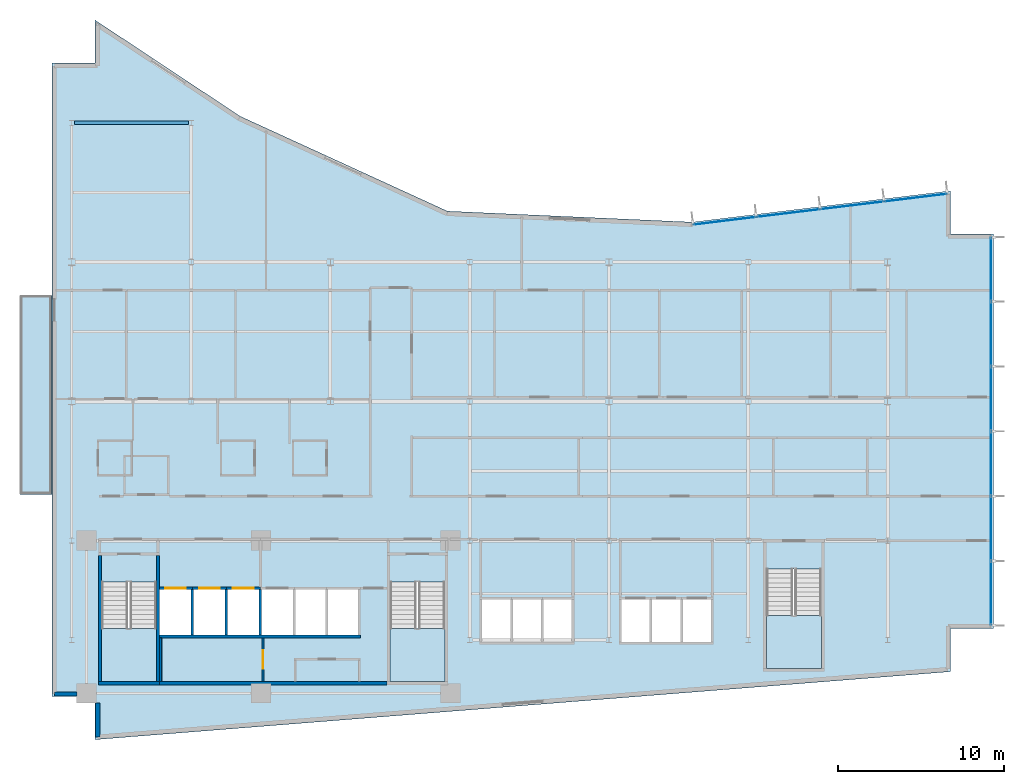
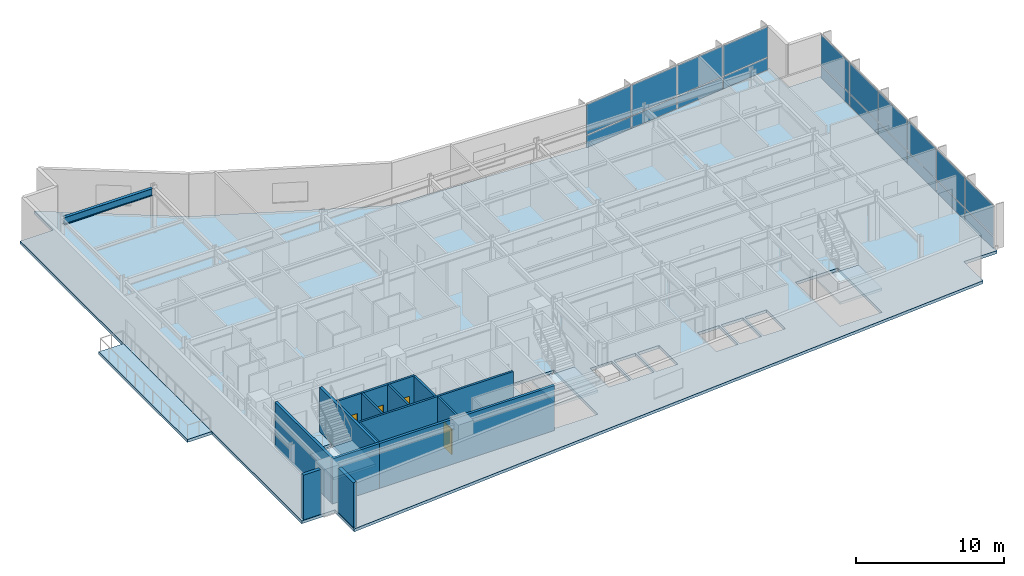
# One storey, part 9 of 18: 20 plates, 15 walls, 5 slabs, 4 doors, 1 beam, 4 openings, 5 elements without a shape of their own.
"""IFC4 building model written with IfcOpenShell, lengths in metres."""

from ifc_helpers import new_model, si_unit, direction, frame, frame_2d, origin, origin_2d, place, context, subcontext, project, spatial, polyline, rectangle, i_section, outline, extrude, material, layer, layer_set, material_profile, profile_set, type_object, element, fill, aggregate, save


model = new_model("IFC4")

# Units and contexts
model_context = context("Model", 3, precision=1e-05, world=origin(), true_north=direction((0.0, 1.0)))
body_context = subcontext(model_context, "Body", "Model", "MODEL_VIEW")
ifc_project = project(units=[si_unit("LENGTHUNIT", "METRE"), si_unit("AREAUNIT", "SQUARE_METRE"), si_unit("VOLUMEUNIT", "CUBIC_METRE"), si_unit("PLANEANGLEUNIT", "RADIAN"), si_unit("MASSUNIT", "GRAM", prefix="KILO")], contexts=[model_context])

# Site, building, storey
site_placement = place(None, origin())
site = spatial("IfcSite", under=ifc_project, at=site_placement, CompositionType="ELEMENT")
building_placement = place(site_placement, origin())
building = spatial("IfcBuilding", under=site, at=building_placement, Name="Varnakote Quay Hospital", CompositionType="ELEMENT")
storey_placement = place(building_placement, frame((0.0, 0.0, 107.300048828125)))
storey = spatial("IfcBuildingStorey", under=building, at=storey_placement, Name="L26", CompositionType="ELEMENT", Elevation=107.300048828125)

# Beam
ifc_material_1 = material(Name="Structural steel AS/NZS 3679.1 Grade 350 L0 (fy 340 MPa)", Category="steel")
ifc_material_profile = material_profile(ifc_material_1, i_section(OverallWidth=0.22802734375, OverallDepth=0.60205078125, WebThickness=0.010498046875, FlangeThickness=0.014892578125, FilletRadius=0.013916015625, at=origin_2d()), Name="610UB101")
ifc_profile_set = profile_set([ifc_material_profile], Name="Structural steel AS/NZS 3679.1 Grade 350 L0 (fy 340 MPa)")
beam_type = type_object("IfcBeamType", Name="BM-STL-610UB101", PredefinedType="BEAM", material=ifc_profile_set)
beam_placement = place(storey_placement, frame((1.3544921875, 37.199951171875, 3.408935546875), z_axis=(1.0, 0.0, 0.0), x_axis=(0.0, 1.0, 0.0)))
element("IfcBeam", 1, at=beam_placement, inside=storey, type_object=beam_type, Name="L26 Primary Floor Beam", PredefinedType="BEAM", context=body_context, shape_type="SweptSolid", body=[
    extrude(i_section(OverallWidth=0.22802734375, OverallDepth=0.60205078125, WebThickness=0.010498046875, FlangeThickness=0.014892578125, FilletRadius=0.013916015625, at=origin_2d()), origin(), (0.0, 0.0, 1.0), 6.89111328125),
])

# Curtain wall, plates
ifc_material_2 = material(Name="Anodised aluminium 6063-T6 Bronze", Category="aluminium")
ifc_layer_1 = layer(ifc_material_2, 0.205078125)
ifc_layer_set_1 = layer_set([ifc_layer_1], Name="Anodised aluminium 6063-T6 Bronze")
curtain_wall_type = type_object("IfcCurtainWallType", Name="CW-SYS-3", PredefinedType="NOTDEFINED", material=ifc_layer_set_1)
curtain_wall_1_placement = place(storey_placement, origin())
curtain_wall_1 = element("IfcCurtainWall", 2, at=curtain_wall_1_placement, inside=storey, type_object=curtain_wall_type, Name="L26 Unitised Bronze Curtain Wall 1", PredefinedType="NOTDEFINED")
ifc_material_3 = material(Name="Double-glazed low-E solar glass", Category="glass")
ifc_layer_2 = layer(ifc_material_3, 0.028076171875)
ifc_layer_set_2 = layer_set([ifc_layer_2], Name="Double-glazed low-E solar glass")
plate_type = type_object("IfcPlateType", Name="CW-PNL-GLZ-28", PredefinedType="CURTAIN_PANEL", material=ifc_layer_set_2)
plate_1_placement = place(storey_placement, frame((56.639892578125, 8.83544921875, 0.07470703125), z_axis=(0.0, 0.0, 1.0), x_axis=(0.0, 1.0, 0.0)))
plate_1 = element("IfcPlate", 3, at=plate_1_placement, type_object=plate_type, Name="-3-L26-1 panel 1.1", PredefinedType="CURTAIN_PANEL", context=body_context, shape_type="SweptSolid", body=[
    extrude(rectangle(XDim=3.80078125, YDim=0.028076171875, at=origin_2d()), origin(), (0.0, 0.0, 1.0), 0.987548828125),
])
plate_2_placement = place(storey_placement, frame((56.639892578125, 8.83544921875, 1.137451171875), z_axis=(0.0, 0.0, 1.0), x_axis=(0.0, 1.0, 0.0)))
plate_2 = element("IfcPlate", 4, at=plate_2_placement, type_object=plate_type, Name="-3-L26-1 panel 1.2", PredefinedType="CURTAIN_PANEL", context=body_context, shape_type="SweptSolid", body=[
    extrude(rectangle(XDim=3.80078125, YDim=0.028076171875, at=origin_2d()), origin(), (0.0, 0.0, 1.0), 2.49755859375),
])
plate_3_placement = place(storey_placement, frame((56.639892578125, 12.72998046875, 0.07470703125), z_axis=(0.0, 0.0, 1.0), x_axis=(0.0, 1.0, 0.0)))
plate_3 = element("IfcPlate", 5, at=plate_3_placement, type_object=plate_type, Name="-3-L26-1 panel 2.1", PredefinedType="CURTAIN_PANEL", context=body_context, shape_type="SweptSolid", body=[
    extrude(rectangle(XDim=3.83837890625, YDim=0.028076171875, at=origin_2d()), origin(), (0.0, 0.0, 1.0), 0.987548828125),
])
plate_4_placement = place(storey_placement, frame((56.639892578125, 12.72998046875, 1.137451171875), z_axis=(0.0, 0.0, 1.0), x_axis=(0.0, 1.0, 0.0)))
plate_4 = element("IfcPlate", 6, at=plate_4_placement, type_object=plate_type, Name="-3-L26-1 panel 2.2", PredefinedType="CURTAIN_PANEL", context=body_context, shape_type="SweptSolid", body=[
    extrude(rectangle(XDim=3.83837890625, YDim=0.028076171875, at=origin_2d()), origin(), (0.0, 0.0, 1.0), 2.49755859375),
])
plate_5_placement = place(storey_placement, frame((56.639892578125, 16.643310546875, 0.07470703125), z_axis=(0.0, 0.0, 1.0), x_axis=(0.0, 1.0, 0.0)))
plate_5 = element("IfcPlate", 7, at=plate_5_placement, type_object=plate_type, Name="-3-L26-1 panel 3.1", PredefinedType="CURTAIN_PANEL", context=body_context, shape_type="SweptSolid", body=[
    extrude(rectangle(XDim=3.83837890625, YDim=0.028076171875, at=origin_2d()), origin(), (0.0, 0.0, 1.0), 0.987548828125),
])
plate_6_placement = place(storey_placement, frame((56.639892578125, 16.643310546875, 1.137451171875), z_axis=(0.0, 0.0, 1.0), x_axis=(0.0, 1.0, 0.0)))
plate_6 = element("IfcPlate", 8, at=plate_6_placement, type_object=plate_type, Name="-3-L26-1 panel 3.2", PredefinedType="CURTAIN_PANEL", context=body_context, shape_type="SweptSolid", body=[
    extrude(rectangle(XDim=3.83837890625, YDim=0.028076171875, at=origin_2d()), origin(), (0.0, 0.0, 1.0), 2.49755859375),
])
plate_7_placement = place(storey_placement, frame((56.639892578125, 20.556640625, 0.07470703125), z_axis=(0.0, 0.0, 1.0), x_axis=(0.0, 1.0, 0.0)))
plate_7 = element("IfcPlate", 9, at=plate_7_placement, type_object=plate_type, Name="-3-L26-1 panel 4.1", PredefinedType="CURTAIN_PANEL", context=body_context, shape_type="SweptSolid", body=[
    extrude(rectangle(XDim=3.83837890625, YDim=0.028076171875, at=origin_2d()), origin(), (0.0, 0.0, 1.0), 0.987548828125),
])
plate_8_placement = place(storey_placement, frame((56.639892578125, 20.556640625, 1.137451171875), z_axis=(0.0, 0.0, 1.0), x_axis=(0.0, 1.0, 0.0)))
plate_8 = element("IfcPlate", 10, at=plate_8_placement, type_object=plate_type, Name="-3-L26-1 panel 4.2", PredefinedType="CURTAIN_PANEL", context=body_context, shape_type="SweptSolid", body=[
    extrude(rectangle(XDim=3.83837890625, YDim=0.028076171875, at=origin_2d()), origin(), (0.0, 0.0, 1.0), 2.49755859375),
])
plate_9_placement = place(storey_placement, frame((56.639892578125, 24.469970703125, 0.07470703125), z_axis=(0.0, 0.0, 1.0), x_axis=(0.0, 1.0, 0.0)))
plate_9 = element("IfcPlate", 11, at=plate_9_placement, type_object=plate_type, Name="-3-L26-1 panel 5.1", PredefinedType="CURTAIN_PANEL", context=body_context, shape_type="SweptSolid", body=[
    extrude(rectangle(XDim=3.83837890625, YDim=0.028076171875, at=origin_2d()), origin(), (0.0, 0.0, 1.0), 0.987548828125),
])
plate_10_placement = place(storey_placement, frame((56.639892578125, 24.469970703125, 1.137451171875), z_axis=(0.0, 0.0, 1.0), x_axis=(0.0, 1.0, 0.0)))
plate_10 = element("IfcPlate", 12, at=plate_10_placement, type_object=plate_type, Name="-3-L26-1 panel 5.2", PredefinedType="CURTAIN_PANEL", context=body_context, shape_type="SweptSolid", body=[
    extrude(rectangle(XDim=3.83837890625, YDim=0.028076171875, at=origin_2d()), origin(), (0.0, 0.0, 1.0), 2.49755859375),
])
plate_11_placement = place(storey_placement, frame((56.639892578125, 28.364501953125, 0.07470703125), z_axis=(0.0, 0.0, 1.0), x_axis=(0.0, 1.0, 0.0)))
plate_11 = element("IfcPlate", 13, at=plate_11_placement, type_object=plate_type, Name="-3-L26-1 panel 6.1", PredefinedType="CURTAIN_PANEL", context=body_context, shape_type="SweptSolid", body=[
    extrude(rectangle(XDim=3.80078125, YDim=0.028076171875, at=origin_2d()), origin(), (0.0, 0.0, 1.0), 0.987548828125),
])
plate_12_placement = place(storey_placement, frame((56.639892578125, 28.364501953125, 1.137451171875), z_axis=(0.0, 0.0, 1.0), x_axis=(0.0, 1.0, 0.0)))
plate_12 = element("IfcPlate", 14, at=plate_12_placement, type_object=plate_type, Name="-3-L26-1 panel 6.2", PredefinedType="CURTAIN_PANEL", context=body_context, shape_type="SweptSolid", body=[
    extrude(rectangle(XDim=3.80078125, YDim=0.028076171875, at=origin_2d()), origin(), (0.0, 0.0, 1.0), 2.49755859375),
])
aggregate(curtain_wall_1, [plate_1, plate_2, plate_3, plate_4, plate_5, plate_6, plate_7, plate_8, plate_9, plate_10, plate_11, plate_12])

curtain_wall_2_placement = place(storey_placement, origin())
curtain_wall_2 = element("IfcCurtainWall", 15, at=curtain_wall_2_placement, inside=storey, type_object=curtain_wall_type, Name="L26 Unitised Bronze Curtain Wall 2", PredefinedType="NOTDEFINED")
plate_13_placement = place(storey_placement, frame((52.09521484375, 32.68359375, 0.07470703125), z_axis=(0.0, 0.0, 1.0), x_axis=(-0.992734295067, -0.12032713492, 0.0)))
plate_13 = element("IfcPlate", 16, at=plate_13_placement, type_object=plate_type, Name="-3-L26-2 panel 1.1", PredefinedType="CURTAIN_PANEL", context=body_context, shape_type="SweptSolid", body=[
    extrude(rectangle(XDim=3.76806640625, YDim=0.028076171875, at=origin_2d()), origin(), (0.0, 0.0, 1.0), 0.987548828125),
])
plate_14_placement = place(storey_placement, frame((52.09521484375, 32.68359375, 1.137451171875), z_axis=(0.0, 0.0, 1.0), x_axis=(-0.992734295067, -0.12032713492, 0.0)))
plate_14 = element("IfcPlate", 17, at=plate_14_placement, type_object=plate_type, Name="-3-L26-2 panel 1.2", PredefinedType="CURTAIN_PANEL", context=body_context, shape_type="SweptSolid", body=[
    extrude(rectangle(XDim=3.76806640625, YDim=0.028076171875, at=origin_2d()), origin(), (0.0, 0.0, 1.0), 2.49755859375),
])
plate_15_placement = place(storey_placement, frame((48.26123046875, 32.218994140625, 0.07470703125), z_axis=(0.0, 0.0, 1.0), x_axis=(-0.992734295067, -0.12032713492, 0.0)))
plate_15 = element("IfcPlate", 18, at=plate_15_placement, type_object=plate_type, Name="-3-L26-2 panel 2.1", PredefinedType="CURTAIN_PANEL", context=body_context, shape_type="SweptSolid", body=[
    extrude(rectangle(XDim=3.8056640625, YDim=0.028076171875, at=origin_2d()), origin(), (0.0, 0.0, 1.0), 0.987548828125),
])
plate_16_placement = place(storey_placement, frame((48.26123046875, 32.218994140625, 1.137451171875), z_axis=(0.0, 0.0, 1.0), x_axis=(-0.992734295067, -0.12032713492, 0.0)))
plate_16 = element("IfcPlate", 19, at=plate_16_placement, type_object=plate_type, Name="-3-L26-2 panel 2.2", PredefinedType="CURTAIN_PANEL", context=body_context, shape_type="SweptSolid", body=[
    extrude(rectangle(XDim=3.8056640625, YDim=0.028076171875, at=origin_2d()), origin(), (0.0, 0.0, 1.0), 2.49755859375),
])
plate_17_placement = place(storey_placement, frame((44.40869140625, 31.751953125, 0.07470703125), z_axis=(0.0, 0.0, 1.0), x_axis=(-0.992734295067, -0.12032713492, 0.0)))
plate_17 = element("IfcPlate", 20, at=plate_17_placement, type_object=plate_type, Name="-3-L26-2 panel 3.1", PredefinedType="CURTAIN_PANEL", context=body_context, shape_type="SweptSolid", body=[
    extrude(rectangle(XDim=3.8056640625, YDim=0.028076171875, at=origin_2d()), origin(), (0.0, 0.0, 1.0), 0.987548828125),
])
plate_18_placement = place(storey_placement, frame((44.40869140625, 31.751953125, 1.137451171875), z_axis=(0.0, 0.0, 1.0), x_axis=(-0.992734295067, -0.12032713492, 0.0)))
plate_18 = element("IfcPlate", 21, at=plate_18_placement, type_object=plate_type, Name="-3-L26-2 panel 3.2", PredefinedType="CURTAIN_PANEL", context=body_context, shape_type="SweptSolid", body=[
    extrude(rectangle(XDim=3.8056640625, YDim=0.028076171875, at=origin_2d()), origin(), (0.0, 0.0, 1.0), 2.49755859375),
])
plate_19_placement = place(storey_placement, frame((40.574951171875, 31.287353515625, 0.07470703125), z_axis=(0.0, 0.0, 1.0), x_axis=(-0.992734295067, -0.12032713492, 0.0)))
plate_19 = element("IfcPlate", 22, at=plate_19_placement, type_object=plate_type, Name="-3-L26-2 panel 4.1", PredefinedType="CURTAIN_PANEL", context=body_context, shape_type="SweptSolid", body=[
    extrude(rectangle(XDim=3.76806640625, YDim=0.028076171875, at=origin_2d()), origin(), (0.0, 0.0, 1.0), 0.987548828125),
])
plate_20_placement = place(storey_placement, frame((40.574951171875, 31.287353515625, 1.137451171875), z_axis=(0.0, 0.0, 1.0), x_axis=(-0.992734295067, -0.12032713492, 0.0)))
plate_20 = element("IfcPlate", 23, at=plate_20_placement, type_object=plate_type, Name="-3-L26-2 panel 4.2", PredefinedType="CURTAIN_PANEL", context=body_context, shape_type="SweptSolid", body=[
    extrude(rectangle(XDim=3.76806640625, YDim=0.028076171875, at=origin_2d()), origin(), (0.0, 0.0, 1.0), 2.49755859375),
])
aggregate(curtain_wall_2, [plate_13, plate_14, plate_15, plate_16, plate_17, plate_18, plate_19, plate_20])

# Stair, slab
ifc_material_4 = material(Name="Concrete N40 (f'c 40 MPa)", Category="concrete")
stair_type = type_object("IfcStairType", Name="STR-CORE-1580", PredefinedType="HALF_TURN_STAIR", material=ifc_material_4)
stair_1_placement = place(storey_placement, origin())
stair_1 = element("IfcStair", 24, at=stair_1_placement, inside=storey, type_object=stair_type, Name="L26 Fire-Isolated Exit Stair ST-01", PredefinedType="HALF_TURN_STAIR")
ifc_material_5 = material(Name="Concrete N40 (f'c 40 MPa)", Category="concrete")
ifc_layer_3 = layer(ifc_material_5, 0.199951171875)
ifc_layer_set_3 = layer_set([ifc_layer_3], Name="Concrete N40 (f'c 40 MPa)")
slab_type_1 = type_object("IfcSlabType", Name="SLB-STAIR-LND-200", PredefinedType="LANDING", material=ifc_layer_set_3)
slab_1_placement = place(storey_placement, frame((0.0, 0.0, 1.77490234375)))
slab_1 = element("IfcSlab", 25, at=slab_1_placement, type_object=slab_type_1, Name="ST-01 landing 1", PredefinedType="LANDING", context=body_context, shape_type="SweptSolid", body=[
    extrude(outline(polyline([(3.0, 6.699951171875), (3.0, 3.5), (6.300048828125, 3.5), (6.300048828125, 6.699951171875), (3.0, 6.699951171875)])), origin(), (0.0, 0.0, 1.0), 0.199951171875),
])
aggregate(stair_1, [slab_1])

stair_2_placement = place(storey_placement, origin())
stair_2 = element("IfcStair", 26, at=stair_2_placement, inside=storey, type_object=stair_type, Name="L26 Fire-Isolated Exit Stair ST-02", PredefinedType="HALF_TURN_STAIR")
slab_2_placement = place(storey_placement, frame((0.0, 0.0, 1.77490234375)))
slab_2 = element("IfcSlab", 27, at=slab_2_placement, type_object=slab_type_1, Name="ST-02 landing 1", PredefinedType="LANDING", context=body_context, shape_type="SweptSolid", body=[
    extrude(outline(polyline([(20.39990234375, 6.699951171875), (20.39990234375, 3.5), (23.699951171875, 3.5), (23.699951171875, 6.699951171875), (20.39990234375, 6.699951171875)])), origin(), (0.0, 0.0, 1.0), 0.199951171875),
])
aggregate(stair_2, [slab_2])

stair_3_placement = place(storey_placement, origin())
stair_3 = element("IfcStair", 28, at=stair_3_placement, inside=storey, type_object=stair_type, Name="L26 Fire-Isolated Exit Stair ST-03", PredefinedType="HALF_TURN_STAIR")
slab_3_placement = place(storey_placement, frame((0.0, 0.0, 1.77490234375)))
slab_3 = element("IfcSlab", 29, at=slab_3_placement, type_object=slab_type_1, Name="ST-03 landing 1", PredefinedType="LANDING", context=body_context, shape_type="SweptSolid", body=[
    extrude(outline(polyline([(43.10009765625, 7.5), (43.10009765625, 4.300048828125), (46.39990234375, 4.300048828125), (46.39990234375, 7.5), (43.10009765625, 7.5)])), origin(), (0.0, 0.0, 1.0), 0.199951171875),
])
aggregate(stair_3, [slab_3])

# Slabs
ifc_material_6 = material(Name="Concrete N50 (f'c 50 MPa)", Category="concrete")
ifc_layer_4 = layer(ifc_material_6, 0.239990234375)
ifc_layer_set_4 = layer_set([ifc_layer_4], Name="Concrete N50 (f'c 50 MPa)")
slab_type_2 = type_object("IfcSlabType", Name="SLB-TERR-200", PredefinedType="FLOOR", material=ifc_layer_set_4)
slab_4_placement = place(storey_placement, frame((0.0, 0.0, -0.239990234375)))
element("IfcSlab", 30, at=slab_4_placement, inside=storey, type_object=slab_type_2, Name="L26 Waterfront Healing Terrace Slab", PredefinedType="FLOOR", context=body_context, shape_type="SweptSolid", body=[
    extrude(outline(polyline([(0.00390625, 14.800048828125), (0.00390625, 26.800048828125), (-1.919921875, 26.800048828125), (-1.919921875, 14.800048828125), (0.00390625, 14.800048828125)])), origin(), (0.0, 0.0, 1.0), 0.239990234375),
])
ifc_material_7 = material(Name="Concrete N50 (f'c 50 MPa)", Category="concrete")
ifc_layer_5 = layer(ifc_material_7, 0.239990234375)
ifc_layer_set_5 = layer_set([ifc_layer_5], Name="Concrete N50 (f'c 50 MPa)")
slab_type_3 = type_object("IfcSlabType", Name="SLB-WARD-200", PredefinedType="FLOOR", material=ifc_layer_set_5)
slab_5_placement = place(storey_placement, frame((0.0, 0.0, -0.239990234375)))
element("IfcSlab", 31, at=slab_5_placement, inside=storey, type_object=slab_type_3, Name="L26 Primary Floor Slab", PredefinedType="FLOOR", context=body_context, shape_type="SweptSolid", body=[
    extrude(outline(polyline([(0.0, 2.60009765625), (2.60009765625, 2.60009765625), (2.60009765625, 0.0), (54.199951171875, 4.10009765625), (54.199951171875, 6.699951171875), (56.800048828125, 6.699951171875), (56.800048828125, 30.5), (54.199951171875, 30.5), (54.199951171875, 33.10009765625), (38.6240234375, 31.2119140625), (23.85595703125, 31.8740234375), (11.360107421875, 37.595947265625), (2.60009765625, 43.39990234375), (2.60009765625, 40.800048828125), (0.0, 40.800048828125), (0.0, 2.60009765625)]), holes=[polyline([(3.0, 3.5), (6.300048828125, 3.5), (6.300048828125, 9.49951171875), (3.0, 9.49951171875), (3.0, 3.5)]), polyline([(20.39990234375, 3.5), (23.699951171875, 3.5), (23.699951171875, 9.49951171875), (20.39990234375, 9.49951171875), (20.39990234375, 3.5)]), polyline([(43.10009765625, 4.300048828125), (46.39990234375, 4.300048828125), (46.39990234375, 10.29931640625), (43.10009765625, 10.29931640625), (43.10009765625, 4.300048828125)]), polyline([(6.5, 6.300048828125), (8.39990234375, 6.300048828125), (8.39990234375, 9.050048828125), (6.5, 9.050048828125), (6.5, 6.300048828125)]), polyline([(8.550048828125, 6.300048828125), (10.449951171875, 6.300048828125), (10.449951171875, 9.050048828125), (8.550048828125, 9.050048828125), (8.550048828125, 6.300048828125)]), polyline([(10.60009765625, 6.300048828125), (12.5, 6.300048828125), (12.5, 9.050048828125), (10.60009765625, 9.050048828125), (10.60009765625, 6.300048828125)]), polyline([(12.64990234375, 6.300048828125), (14.550048828125, 6.300048828125), (14.550048828125, 9.050048828125), (12.64990234375, 9.050048828125), (12.64990234375, 6.300048828125)]), polyline([(14.699951171875, 6.300048828125), (16.5, 6.300048828125), (16.5, 9.050048828125), (14.699951171875, 9.050048828125), (14.699951171875, 6.300048828125)]), polyline([(16.64990234375, 6.300048828125), (18.449951171875, 6.300048828125), (18.449951171875, 9.050048828125), (16.64990234375, 9.050048828125), (16.64990234375, 6.300048828125)]), polyline([(25.949951171875, 5.89990234375), (27.64990234375, 5.89990234375), (27.64990234375, 8.449951171875), (25.949951171875, 8.449951171875), (25.949951171875, 5.89990234375)]), polyline([(27.800048828125, 5.89990234375), (29.5, 5.89990234375), (29.5, 8.449951171875), (27.800048828125, 8.449951171875), (27.800048828125, 5.89990234375)]), polyline([(29.64990234375, 5.89990234375), (31.35009765625, 5.89990234375), (31.35009765625, 8.449951171875), (29.64990234375, 8.449951171875), (29.64990234375, 5.89990234375)]), polyline([(34.35009765625, 5.89990234375), (36.050048828125, 5.89990234375), (36.050048828125, 8.449951171875), (34.35009765625, 8.449951171875), (34.35009765625, 5.89990234375)]), polyline([(36.199951171875, 5.89990234375), (37.89990234375, 5.89990234375), (37.89990234375, 8.449951171875), (36.199951171875, 8.449951171875), (36.199951171875, 5.89990234375)]), polyline([(38.050048828125, 5.89990234375), (39.75, 5.89990234375), (39.75, 8.449951171875), (38.050048828125, 8.449951171875), (38.050048828125, 5.89990234375)])]), origin(), (0.0, 0.0, 1.0), 0.239990234375),
])

# Walls
ifc_material_8 = material(Name="Concrete N65 (f'c 65 MPa)", Category="concrete")
ifc_layer_6 = layer(ifc_material_8, 0.199951171875)
ifc_layer_set_6 = layer_set([ifc_layer_6], Name="Concrete N65 (f'c 65 MPa)")
wall_type_1 = type_object("IfcWallType", Name="WL-CORE-N65-200", PredefinedType="SHEAR", material=ifc_layer_set_6)
wall_1_placement = place(storey_placement, frame((6.5, 3.39990234375, 0.0), z_axis=(0.0, 0.0, 1.0), x_axis=(1.0, 0.0, 0.0)))
element("IfcWall", 32, at=wall_1_placement, inside=storey, type_object=wall_type_1, Name="L26 Rear Core South Shear Wall", PredefinedType="SHEAR", context=body_context, shape_type="SweptSolid", body=[
    extrude(rectangle(XDim=13.699951171875, YDim=0.199951171875, at=frame_2d((6.85009765625, 0.0))), origin(), (0.0, 0.0, 1.0), 3.7099609375),
])
ifc_material_9 = material(Name="Precast concrete N50 (f'c 50 MPa)", Category="concrete")
ifc_layer_7 = layer(ifc_material_9, 0.260009765625)
ifc_layer_set_7 = layer_set([ifc_layer_7], Name="Precast concrete N50 (f'c 50 MPa)")
wall_type_2 = type_object("IfcWallType", Name="WL-EXT-BRICK-260", PredefinedType="STANDARD", material=ifc_layer_set_7)
wall_2_placement = place(storey_placement, frame((2.760009765625, 2.215087890625, 0.0), z_axis=(0.0, 0.0, 1.0), x_axis=(0.0, -1.0, 0.0)))
element("IfcWall", 33, at=wall_2_placement, inside=storey, type_object=wall_type_2, Name="L26 Brick-Faced Precast Exterior Wall", PredefinedType="STANDARD", context=body_context, shape_type="SweptSolid", body=[
    extrude(rectangle(XDim=2.0419921875, YDim=0.260009765625, at=frame_2d((1.02099609375, 0.0))), origin(), (0.0, 0.0, 1.0), 3.7099609375),
])
wall_3_placement = place(storey_placement, frame((0.159912109375, 2.760009765625, 0.0), z_axis=(0.0, 0.0, 1.0), x_axis=(1.0, 0.0, 0.0)))
element("IfcWall", 34, at=wall_3_placement, inside=storey, type_object=wall_type_2, Name="L26 Brick-Faced Precast Exterior Wall", PredefinedType="STANDARD", context=body_context, shape_type="SweptSolid", body=[
    extrude(rectangle(XDim=1.35498046875, YDim=0.260009765625, at=frame_2d((0.677490234375, 0.0))), origin(), (0.0, 0.0, 1.0), 3.7099609375),
])
ifc_material_10 = material(Name="Concrete N50 (f'c 50 MPa)", Category="concrete")
ifc_layer_8 = layer(ifc_material_10, 0.14990234375)
ifc_layer_set_8 = layer_set([ifc_layer_8], Name="Concrete N50 (f'c 50 MPa)")
wall_type_3 = type_object("IfcWallType", Name="WL-SHAFT-N50-150", PredefinedType="SHEAR", material=ifc_layer_set_8)
for number, where, z_axis, x_axis, name in (
    (35, (8.47509765625, 6.300048828125, 0.0), (0.0, 0.0, 1.0), (0.0, 1.0, 0.0), "L26 LF-FF1 Hoistway Divider Wall"),
    (36, (10.52490234375, 6.300048828125, 0.0), (0.0, 0.0, 1.0), (0.0, 1.0, 0.0), "L26 LF-FF2 Hoistway Divider Wall"),
    (37, (12.574951171875, 6.300048828125, 0.0), (0.0, 0.0, 1.0), (0.0, 1.0, 0.0), "L26 LF-SV1 Hoistway Divider Wall"),
):
    element("IfcWall", number, at=place(storey_placement, frame(where, z_axis=z_axis, x_axis=x_axis)), inside=storey, type_object=wall_type_3, Name=name, PredefinedType="SHEAR", context=body_context, shape_type="SweptSolid", body=[
        extrude(rectangle(XDim=2.75, YDim=0.14990234375, at=frame_2d((1.375, 0.0))), origin(), (0.0, 0.0, 1.0), 3.7099609375),
    ])
ifc_material_11 = material(Name="Concrete N50 (f'c 50 MPa)", Category="concrete")
ifc_layer_9 = layer(ifc_material_11, 0.159912109375)
ifc_layer_set_9 = layer_set([ifc_layer_9], Name="Concrete N50 (f'c 50 MPa)")
wall_type_4 = type_object("IfcWallType", Name="WL-SHAFT-N50-160", PredefinedType="SHEAR", material=ifc_layer_set_9)
wall_4_placement = place(storey_placement, frame((6.5, 6.219970703125, 0.0), z_axis=(0.0, 0.0, 1.0), x_axis=(1.0, 0.0, 0.0)))
element("IfcWall", 38, at=wall_4_placement, inside=storey, type_object=wall_type_4, Name="L26 REAR Lift Bank Back Shear Wall", PredefinedType="SHEAR", context=body_context, shape_type="SweptSolid", body=[
    extrude(rectangle(XDim=12.110107421875, YDim=0.159912109375, at=frame_2d((6.05517578125, 0.0))), origin(), (0.0, 0.0, 1.0), 3.7099609375),
])

# Wall, opening, door
wall_5_placement = place(storey_placement, frame((6.5, 9.1298828125, 0.0), z_axis=(0.0, 0.0, 1.0), x_axis=(1.0, 0.0, 0.0)))
wall_5 = element("IfcWall", 39, at=wall_5_placement, inside=storey, type_object=wall_type_4, Name="L26 LF-FF1 Hoistway Front Wall", PredefinedType="SHEAR", context=body_context, shape_type="SweptSolid", body=[
    extrude(rectangle(XDim=1.97509765625, YDim=0.159912109375, at=frame_2d((0.987548828125, 0.0))), origin(), (0.0, 0.0, 1.0), 3.7099609375),
])
opening_1_placement = place(wall_5_placement, frame((0.324951171875, 0.0, 0.0)))
opening_1 = element("IfcOpeningElement", 40, at=opening_1_placement, cuts=wall_5, Name="Opening LD-FF1-L26", PredefinedType="OPENING", context=body_context, shape_type="SweptSolid", body=[
    extrude(rectangle(XDim=1.25, YDim=2.14990234375, at=frame_2d((0.625, 1.074951171875))), frame((0.0, 0.08984375, 0.0), z_axis=(0.0, -1.0, 0.0), x_axis=(1.0, 0.0, 0.0)), (0.0, 0.0, 1.0), 0.179931640625),
])
ifc_material_12 = material(Name="Stainless steel lift landing sliding door", Category="steel")
door_type_1 = type_object("IfcDoorType", Name="DR-LIFT-LD-1250x2150", OperationType="NOTDEFINED", PredefinedType="DOOR", material=ifc_material_12)
door_1_placement = place(opening_1_placement, origin())
door_1 = element("IfcDoor", 41, at=door_1_placement, inside=storey, type_object=door_type_1, Name="L26 LF-FF1 Lift Landing Sliding Door", OperationType="SLIDING_TO_LEFT", OverallHeight=2.14990234375, OverallWidth=1.25, PredefinedType="DOOR", context=body_context, shape_type="SweptSolid", body=[
    extrude(rectangle(XDim=1.25, YDim=2.14990234375, at=frame_2d((0.625, 1.074951171875))), frame((0.0, 0.02490234375, 0.0), z_axis=(0.0, -1.0, 0.0), x_axis=(1.0, 0.0, 0.0)), (0.0, 0.0, 1.0), 0.050048828125),
])
fill(opening_1, door_1)

wall_6_placement = place(storey_placement, frame((8.47509765625, 9.1298828125, 0.0), z_axis=(0.0, 0.0, 1.0), x_axis=(1.0, 0.0, 0.0)))
wall_6 = element("IfcWall", 42, at=wall_6_placement, inside=storey, type_object=wall_type_4, Name="L26 LF-FF2 Hoistway Front Wall", PredefinedType="SHEAR", context=body_context, shape_type="SweptSolid", body=[
    extrude(rectangle(XDim=2.0498046875, YDim=0.159912109375, at=frame_2d((1.02490234375, 0.0))), origin(), (0.0, 0.0, 1.0), 3.7099609375),
])
opening_2_placement = place(wall_6_placement, frame((0.39990234375, 0.0, 0.0)))
opening_2 = element("IfcOpeningElement", 43, at=opening_2_placement, cuts=wall_6, Name="Opening LD-FF2-L26", PredefinedType="OPENING", context=body_context, shape_type="SweptSolid", body=[
    extrude(rectangle(XDim=1.25, YDim=2.14990234375, at=frame_2d((0.625, 1.074951171875))), frame((0.0, 0.08984375, 0.0), z_axis=(0.0, -1.0, 0.0), x_axis=(1.0, 0.0, 0.0)), (0.0, 0.0, 1.0), 0.179931640625),
])
door_2_placement = place(opening_2_placement, origin())
door_2 = element("IfcDoor", 44, at=door_2_placement, inside=storey, type_object=door_type_1, Name="L26 LF-FF2 Lift Landing Sliding Door", OperationType="SLIDING_TO_LEFT", OverallHeight=2.14990234375, OverallWidth=1.25, PredefinedType="DOOR", context=body_context, shape_type="SweptSolid", body=[
    extrude(rectangle(XDim=1.25, YDim=2.14990234375, at=frame_2d((0.625, 1.074951171875))), frame((0.0, 0.02490234375, 0.0), z_axis=(0.0, -1.0, 0.0), x_axis=(1.0, 0.0, 0.0)), (0.0, 0.0, 1.0), 0.050048828125),
])
fill(opening_2, door_2)

wall_7_placement = place(storey_placement, frame((10.52490234375, 9.1298828125, 0.0), z_axis=(0.0, 0.0, 1.0), x_axis=(1.0, 0.0, 0.0)))
wall_7 = element("IfcWall", 45, at=wall_7_placement, inside=storey, type_object=wall_type_4, Name="L26 LF-SV1 Hoistway Front Wall", PredefinedType="SHEAR", context=body_context, shape_type="SweptSolid", body=[
    extrude(rectangle(XDim=2.050048828125, YDim=0.159912109375, at=frame_2d((1.02490234375, 0.0))), origin(), (0.0, 0.0, 1.0), 3.7099609375),
])
opening_3_placement = place(wall_7_placement, frame((0.39990234375, 0.0, 0.0)))
opening_3 = element("IfcOpeningElement", 46, at=opening_3_placement, cuts=wall_7, Name="Opening LD-SV1-L26", PredefinedType="OPENING", context=body_context, shape_type="SweptSolid", body=[
    extrude(rectangle(XDim=1.25, YDim=2.14990234375, at=frame_2d((0.625, 1.074951171875))), frame((0.0, 0.08984375, 0.0), z_axis=(0.0, -1.0, 0.0), x_axis=(1.0, 0.0, 0.0)), (0.0, 0.0, 1.0), 0.179931640625),
])
door_3_placement = place(opening_3_placement, origin())
door_3 = element("IfcDoor", 47, at=door_3_placement, inside=storey, type_object=door_type_1, Name="L26 LF-SV1 Lift Landing Sliding Door", OperationType="SLIDING_TO_LEFT", OverallHeight=2.14990234375, OverallWidth=1.25, PredefinedType="DOOR", context=body_context, shape_type="SweptSolid", body=[
    extrude(rectangle(XDim=1.25, YDim=2.14990234375, at=frame_2d((0.625, 1.074951171875))), frame((0.0, 0.02490234375, 0.0), z_axis=(0.0, -1.0, 0.0), x_axis=(1.0, 0.0, 0.0)), (0.0, 0.0, 1.0), 0.050048828125),
])
fill(opening_3, door_3)

# Walls
ifc_material_13 = material(Name="Concrete N50 (f'c 50 MPa)", Category="concrete")
ifc_layer_10 = layer(ifc_material_13, 0.199951171875)
ifc_layer_set_10 = layer_set([ifc_layer_10], Name="Concrete N50 (f'c 50 MPa)")
wall_type_5 = type_object("IfcWallType", Name="WL-SHAFT-N50-200", PredefinedType="SHEAR", material=ifc_layer_set_10)
wall_8_placement = place(storey_placement, frame((2.800048828125, 3.39990234375, 0.0), z_axis=(0.0, 0.0, 1.0), x_axis=(1.0, 0.0, 0.0)))
element("IfcWall", 48, at=wall_8_placement, inside=storey, type_object=wall_type_5, Name="L26 Stair ST1 South Shaft Wall", PredefinedType="SHEAR", context=body_context, shape_type="SweptSolid", body=[
    extrude(rectangle(XDim=3.699951171875, YDim=0.199951171875, at=frame_2d((1.85009765625, 0.0))), origin(), (0.0, 0.0, 1.0), 3.7099609375),
])
for number, where, z_axis, x_axis, name in (
    (49, (2.89990234375, 3.5, 0.0), (0.0, 0.0, 1.0), (0.0, 1.0, 0.0), "L26 Stair ST1 West Shaft Wall"),
    (50, (6.39990234375, 3.5, 0.0), (0.0, 0.0, 1.0), (0.0, 1.0, 0.0), "L26 Stair ST1 East Shaft Wall"),
):
    element("IfcWall", number, at=place(storey_placement, frame(where, z_axis=z_axis, x_axis=x_axis)), inside=storey, type_object=wall_type_5, Name=name, PredefinedType="SHEAR", context=body_context, shape_type="SweptSolid", body=[
        extrude(rectangle(XDim=7.60009765625, YDim=0.199951171875, at=frame_2d((3.800048828125, 0.0))), origin(), (0.0, 0.0, 1.0), 3.7099609375),
    ])
ifc_material_14 = material(Name="Smoke-proof clinical partition", Category="gypsum")
ifc_layer_11 = layer(ifc_material_14, 0.1201171875)
ifc_layer_set_11 = layer_set([ifc_layer_11], Name="Smoke-proof clinical partition")
wall_type_6 = type_object("IfcWallType", Name="WL-SMOKE-120", PredefinedType="PARTITIONING", material=ifc_layer_set_11)
wall_9_placement = place(storey_placement, frame((6.56005859375, 3.52001953125, 0.0), z_axis=(0.0, 0.0, 1.0), x_axis=(0.0, 1.0, 0.0)))
element("IfcWall", 51, at=wall_9_placement, inside=storey, type_object=wall_type_6, Name="L26 Core West Store West Wall", PredefinedType="PARTITIONING", context=body_context, shape_type="SweptSolid", body=[
    extrude(rectangle(XDim=2.619873046875, YDim=0.1201171875, at=frame_2d((1.31005859375, 0.0))), origin(), (0.0, 0.0, 1.0), 3.7099609375),
])

# Wall, opening, door
ifc_material_15 = material(Name="Fire-rated clinical gypsum partition", Category="gypsum")
ifc_layer_12 = layer(ifc_material_15, 0.139892578125)
ifc_layer_set_12 = layer_set([ifc_layer_12], Name="Fire-rated clinical gypsum partition")
wall_type_7 = type_object("IfcWallType", Name="WL-WARD-140", PredefinedType="PARTITIONING", material=ifc_layer_set_12)
wall_10_placement = place(storey_placement, frame((12.72998046875, 3.52001953125, 0.0), z_axis=(0.0, 0.0, 1.0), x_axis=(0.0, 1.0, 0.0)))
wall_10 = element("IfcWall", 52, at=wall_10_placement, inside=storey, type_object=wall_type_7, Name="L26 Core Clean Equipment Store East Wall", PredefinedType="PARTITIONING", context=body_context, shape_type="SweptSolid", body=[
    extrude(rectangle(XDim=2.619873046875, YDim=0.139892578125, at=frame_2d((1.31005859375, 0.0))), origin(), (0.0, 0.0, 1.0), 3.7099609375),
])
opening_4_placement = place(wall_10_placement, frame((0.760009765625, 0.0, 0.0)))
opening_4 = element("IfcOpeningElement", 53, at=opening_4_placement, cuts=wall_10, Name="Opening D-L26-CR01", PredefinedType="OPENING", context=body_context, shape_type="SweptSolid", body=[
    extrude(rectangle(XDim=1.10009765625, YDim=2.10009765625, at=frame_2d((0.550048828125, 1.050048828125))), frame((0.0, 0.079833984375, 0.0), z_axis=(0.0, -1.0, 0.0), x_axis=(1.0, 0.0, 0.0)), (0.0, 0.0, 1.0), 0.159912109375),
])
ifc_material_16 = material(Name="Acoustic timber clinical consult door", Category="wood")
door_type_2 = type_object("IfcDoorType", Name="DR-CLIN-FD30S-1100x2100", OperationType="NOTDEFINED", PredefinedType="DOOR", material=ifc_material_16)
door_4_placement = place(opening_4_placement, origin())
door_4 = element("IfcDoor", 54, at=door_4_placement, inside=storey, type_object=door_type_2, Name="L26 Core Clean Equipment Store Door", OperationType="SINGLE_SWING_LEFT", OverallHeight=2.10009765625, OverallWidth=1.10009765625, PredefinedType="DOOR", context=body_context, shape_type="SweptSolid", body=[
    extrude(rectangle(XDim=1.10009765625, YDim=2.10009765625, at=frame_2d((0.550048828125, 1.050048828125))), frame((0.0, 0.02490234375, 0.0), z_axis=(0.0, -1.0, 0.0), x_axis=(1.0, 0.0, 0.0)), (0.0, 0.0, 1.0), 0.050048828125),
])
fill(opening_4, door_4)

save(model, "model.ifc")
